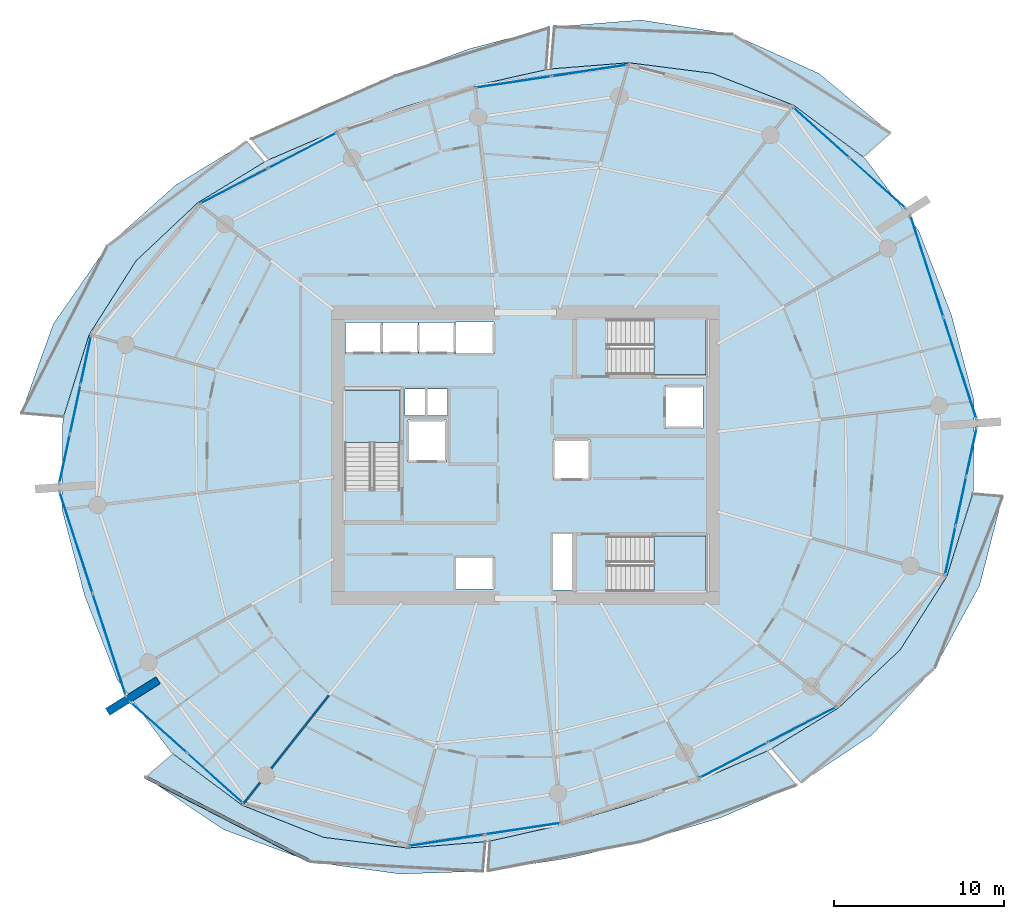
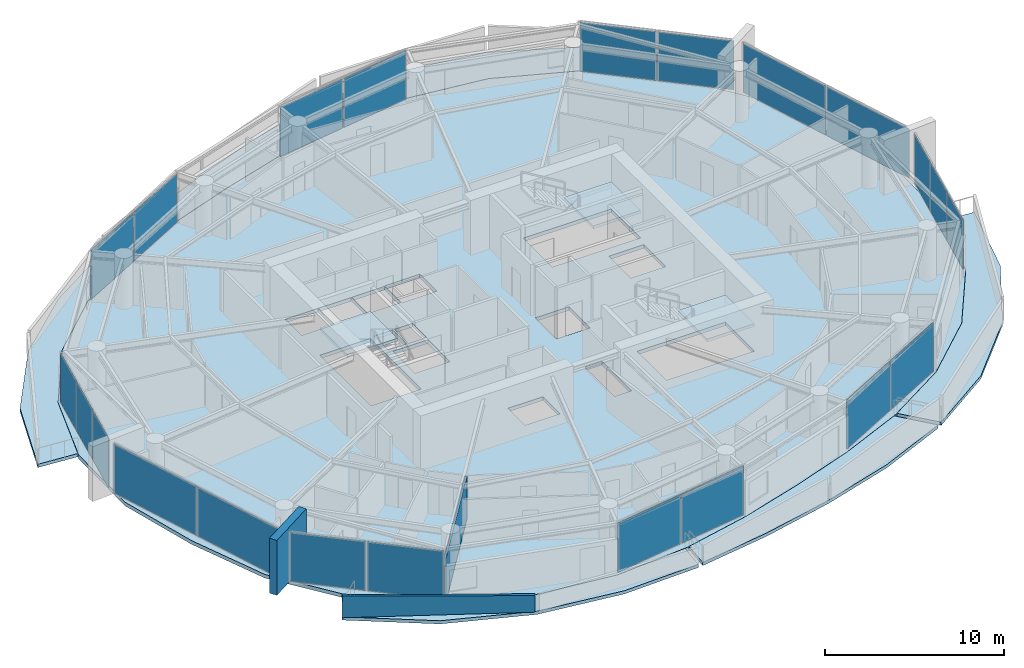
# One storey, part 10 of 20: 22 plates, 10 slabs, 3 walls, 13 elements without a shape of their own.
"""IFC4 building model written with IfcOpenShell, lengths in metres."""

import ifcopenshell
import ifcopenshell.guid

model = None  # the IFC model being written
_history = None  # IfcOwnerHistory: only IFC2X3 demands one
_inside = {}  # id of a spatial element -> (the spatial element, [elements in it])
_under = {}  # id of a project, library or spatial element -> (it, [spatial elements below it])
_declared = {}  # id of a project -> (the project, [libraries it declares])
_typed = {}  # id of a type object -> (the type object, [elements of that type])
_made_of = {}  # id of a material, layer set ... -> (it, [elements and type objects made of it])


def new_model(schema):
    """Start an empty IFC model of exactly this schema.

    Asked for "IFC4X3", IfcOpenShell would pick the latest addendum, in which some entities
    have other attributes; the version numbers below select the first issue.
    IFC2X3 requires an IfcOwnerHistory on every rooted entity: one is made here for all.
    """
    global model, _history
    if schema == "IFC4X3":
        model = ifcopenshell.file(schema_version=(4, 3, 0, 0))
    else:
        model = ifcopenshell.file(schema=schema)
    _inside.clear()
    _under.clear()
    _declared.clear()
    _typed.clear()
    _made_of.clear()
    _history = None
    if model.schema == "IFC2X3":
        org = make("IfcOrganization", Name="unknown")
        user = make(
            "IfcPersonAndOrganization",
            ThePerson=make("IfcPerson", FamilyName="unknown"),
            TheOrganization=org,
        )
        app = make(
            "IfcApplication",
            ApplicationDeveloper=org,
            Version="unknown",
            ApplicationFullName="unknown",
            ApplicationIdentifier="unknown",
        )
        _history = make(
            "IfcOwnerHistory",
            OwningUser=user,
            OwningApplication=app,
            ChangeAction="ADDED",
            CreationDate=0,
        )
    return model


def make(cls, **values):
    """One entity of the class cls with the attributes given. An attribute that is None is left unset."""
    return model.create_entity(
        cls, **{name: value for name, value in values.items() if value is not None}
    )


def rooted(cls, **values):
    """An entity with a GlobalId (a new one), such as an element, a storey or a relation."""
    return make(cls, GlobalId=ifcopenshell.guid.new(), OwnerHistory=_history, **values)


def si_unit(unit_type, name, prefix=None):
    """IfcSIUnit, for example si_unit("LENGTHUNIT", "METRE", prefix="MILLI")."""
    return make("IfcSIUnit", UnitType=unit_type, Prefix=prefix, Name=name)


def assignment(units):
    """IfcUnitAssignment: the units of a project."""
    return None if units is None else make("IfcUnitAssignment", Units=units)


def point(xyz):
    """IfcCartesianPoint."""
    return None if xyz is None else make("IfcCartesianPoint", Coordinates=xyz)


def direction(xyz):
    """IfcDirection."""
    return None if xyz is None else make("IfcDirection", DirectionRatios=xyz)


def frame(location, z_axis=None, x_axis=None):
    """IfcAxis2Placement3D, a coordinate frame: its origin and axes. An axis left out is left unset."""
    return make(
        "IfcAxis2Placement3D",
        Location=point(location),
        Axis=direction(z_axis),
        RefDirection=direction(x_axis),
    )


def frame_2d(location, x_axis=None):
    """IfcAxis2Placement2D, a coordinate frame in the plane: its origin and x axis."""
    return make(
        "IfcAxis2Placement2D", Location=point(location), RefDirection=direction(x_axis)
    )


def origin():
    """The frame at (0, 0, 0) with its axes left unset."""
    return frame((0.0, 0.0, 0.0))


def origin_2d():
    """The frame at (0, 0) in the plane with its x axis left unset."""
    return frame_2d((0.0, 0.0))


def place(relative_to, where):
    """IfcLocalPlacement: puts the frame where relative to a parent placement (None: the world)."""
    return make(
        "IfcLocalPlacement", PlacementRelTo=relative_to, RelativePlacement=where
    )


def context(
    kind, dimensions, precision=None, world=None, true_north=None, identifier=None
):
    """IfcGeometricRepresentationContext, for example the 3D "Model" context."""
    return make(
        "IfcGeometricRepresentationContext",
        ContextIdentifier=identifier,
        ContextType=kind,
        CoordinateSpaceDimension=dimensions,
        Precision=precision,
        WorldCoordinateSystem=world,
        TrueNorth=true_north,
    )


def subcontext(parent, identifier, kind, view, scale=None):
    """IfcGeometricRepresentationSubContext, for example "Body" below "Model"."""
    return make(
        "IfcGeometricRepresentationSubContext",
        ContextIdentifier=identifier,
        ContextType=kind,
        ParentContext=parent,
        TargetScale=scale,
        TargetView=view,
    )


def project(units=None, contexts=None):
    """IfcProject with its units and contexts."""
    return rooted(
        "IfcProject",
        Name="project",
        RepresentationContexts=contexts,
        UnitsInContext=assignment(units),
    )


def spatial(cls, under=None, at=None, **own):
    """A site, building, storey or space (cls), placed at a placement, below another one or the project."""
    s = rooted(cls, ObjectPlacement=at, **own)
    if under is not None:
        _under.setdefault(under.id(), (under, []))[1].append(s)
    return s


def polyline(points):
    """IfcPolyline through the points."""
    return make("IfcPolyline", Points=[point(p) for p in points])


def profile(cls, at=None, kind="AREA", **sizes):
    """A parametric profile (cls). Its sizes go by their IFC names, for example OverallWidth=200.0."""
    return make(cls, ProfileType=kind, Position=at, **sizes)


def rectangle(**sizes):
    """IfcRectangleProfileDef."""
    return profile("IfcRectangleProfileDef", **sizes)


def outline(outer, holes=None, kind="AREA"):
    """IfcArbitraryClosedProfileDef: a profile drawn as a closed curve; with holes, ...WithVoids."""
    if holes is None:
        return make("IfcArbitraryClosedProfileDef", ProfileType=kind, OuterCurve=outer)
    return make(
        "IfcArbitraryProfileDefWithVoids",
        ProfileType=kind,
        OuterCurve=outer,
        InnerCurves=holes,
    )


def extrude(swept, where, along, depth):
    """IfcExtrudedAreaSolid: the profile swept, set in the frame where, extruded along a direction by depth."""
    return make(
        "IfcExtrudedAreaSolid",
        SweptArea=swept,
        Position=where,
        ExtrudedDirection=direction(along),
        Depth=depth,
    )


def shape(context_of_items, identifier, shape_type, items):
    """IfcShapeRepresentation: the items that make up one representation, for example the "Body"."""
    return make(
        "IfcShapeRepresentation",
        ContextOfItems=context_of_items,
        RepresentationIdentifier=identifier,
        RepresentationType=shape_type,
        Items=items,
    )


def material(Name=None, Category=None):
    """IfcMaterial."""
    return make("IfcMaterial", Name=Name, Category=Category)


def layer(
    of_material, thickness, ventilated=None, Name=None, Category=None, Priority=None
):
    """IfcMaterialLayer: one layer of a wall or slab, of a material (None: an air gap)."""
    return make(
        "IfcMaterialLayer",
        Material=of_material,
        LayerThickness=thickness,
        IsVentilated=ventilated,
        Name=Name,
        Category=Category,
        Priority=Priority,
    )


def layer_set(layers, Name=None):
    """IfcMaterialLayerSet."""
    return make("IfcMaterialLayerSet", MaterialLayers=layers, LayerSetName=Name)


def made_of(thing, what):
    """Note that an element or type object is made of a material, layer set ...; save() writes the relation."""
    if what is not None:
        _made_of.setdefault(what.id(), (what, []))[1].append(thing)
    return thing


def type_object(cls, material=None, **own):
    """A type object (cls), such as IfcWallType, which elements share."""
    return made_of(rooted(cls, **own), material)


def element(
    cls,
    number,
    at=None,
    inside=None,
    cuts=None,
    type_object=None,
    material=None,
    context=None,
    identifier="Body",
    shape_type=None,
    held_by="IfcProductDefinitionShape",
    body=None,
    shapes=None,
    **own,
):
    """One element of the class cls, such as IfcWall. Its Tag is "e" and its number.

    at: its placement. inside: the storey or other place that contains it. cuts: it is an
    opening in that element (IfcRelVoidsElement). A single representation is given by context,
    identifier, shape_type and body (its items); several are given by shapes. held_by: the class
    of the entity that holds the representations. save() writes the other relations.
    """
    e = rooted(cls, Tag="e%d" % number, ObjectPlacement=at, **own)
    if body is not None:
        shapes = [shape(context, identifier, shape_type, body)]
    if shapes is not None:
        e.Representation = make(held_by, Representations=shapes)
    if inside is not None:
        _inside.setdefault(inside.id(), (inside, []))[1].append(e)
    if cuts is not None:
        rooted(
            "IfcRelVoidsElement", RelatingBuildingElement=cuts, RelatedOpeningElement=e
        )
    if type_object is not None:
        _typed.setdefault(type_object.id(), (type_object, []))[1].append(e)
    return made_of(e, material)


def aggregate(whole, parts):
    """IfcRelAggregates: a whole, such as a stair, and the parts it consists of."""
    return rooted("IfcRelAggregates", RelatingObject=whole, RelatedObjects=parts)


def save(model, path):
    """Write the relations noted so far, then the file.

    IfcRelAggregates (storeys below a building ...), IfcRelContainedInSpatialStructure (elements
    in a storey), IfcRelDefinesByType, IfcRelAssociatesMaterial and IfcRelDeclares: one each for
    every whole, place, type object, material and project.
    """
    for whole, parts in _under.values():
        aggregate(whole, parts)
    for where, things in _inside.values():
        rooted(
            "IfcRelContainedInSpatialStructure",
            RelatedElements=things,
            RelatingStructure=where,
        )
    for kind, things in _typed.values():
        rooted("IfcRelDefinesByType", RelatedObjects=things, RelatingType=kind)
    for what, things in _made_of.values():
        rooted("IfcRelAssociatesMaterial", RelatedObjects=things, RelatingMaterial=what)
    for by, libraries in _declared.values():
        rooted("IfcRelDeclares", RelatingContext=by, RelatedDefinitions=libraries)
    model.write(path)


model = new_model("IFC4")

# Units and contexts
model_context = context("Model", 3, precision=1e-05, world=origin(), true_north=direction((0.0, 1.0)))
body_context = subcontext(model_context, "Body", "Model", "MODEL_VIEW")
ifc_project = project(units=[si_unit("LENGTHUNIT", "METRE"), si_unit("AREAUNIT", "SQUARE_METRE"), si_unit("VOLUMEUNIT", "CUBIC_METRE"), si_unit("PLANEANGLEUNIT", "RADIAN"), si_unit("MASSUNIT", "GRAM", prefix="KILO")], contexts=[model_context])

# Site, building, storey
site_placement = place(None, origin())
site = spatial("IfcSite", under=ifc_project, at=site_placement, CompositionType="ELEMENT")
building_placement = place(site_placement, origin())
building = spatial("IfcBuilding", under=site, at=building_placement, Name="Kazma Halo Residences", CompositionType="ELEMENT")
storey_placement = place(building_placement, frame((0.0, 0.0, 161.550048828125)))
storey = spatial("IfcBuildingStorey", under=building, at=storey_placement, Name="L40", CompositionType="ELEMENT", Elevation=161.550048828125)

# Curtain wall, plates
ifc_material_1 = material(Name="Aluminium AW-6063 T6 and Triple-Silver Low-E Glass", Category="aluminium")
ifc_layer_1 = layer(ifc_material_1, 0.219970703125)
ifc_layer_set_1 = layer_set([ifc_layer_1], Name="Aluminium AW-6063 T6 and Triple-Silver Low-E Glass")
curtain_wall_type = type_object("IfcCurtainWallType", Name="CW-SYS-4", PredefinedType="NOTDEFINED", material=ifc_layer_set_1)
curtain_wall_1_placement = place(storey_placement, origin())
curtain_wall_1 = element("IfcCurtainWall", 1, at=curtain_wall_1_placement, inside=storey, type_object=curtain_wall_type, Name="L40 unitised curtain wall B01", PredefinedType="NOTDEFINED")
ifc_material_2 = material(Name="Clear Triple-Silver Low-E Glass IGU", Category="glass")
ifc_layer_2 = layer(ifc_material_2, 0.033935546875)
ifc_layer_set_2 = layer_set([ifc_layer_2], Name="Clear Triple-Silver Low-E Glass IGU")
plate_type = type_object("IfcPlateType", Name="CW-SYS-4-PNL", PredefinedType="CURTAIN_PANEL", material=ifc_layer_set_2)
plate_1_placement = place(storey_placement, frame((69.126708984375, 58.008056640625, 0.074951171875), z_axis=(0.0, 0.0, 1.0), x_axis=(-0.744367582957, 0.667770096247, 0.0)))
plate_1 = element("IfcPlate", 2, at=plate_1_placement, type_object=plate_type, Name="CWS-4 panel 1.1", PredefinedType="CURTAIN_PANEL", context=body_context, shape_type="SweptSolid", body=[
    extrude(rectangle(XDim=4.36279296875, YDim=0.033935546875, at=origin_2d()), origin(), (0.0, 0.0, 1.0), 3.35009765625),
])
plate_2_placement = place(storey_placement, frame((65.823486328125, 60.971435546875, 0.074951171875), z_axis=(0.0, 0.0, 1.0), x_axis=(-0.744367582957, 0.667770096247, 0.0)))
plate_2 = element("IfcPlate", 3, at=plate_2_placement, type_object=plate_type, Name="CWS-4 panel 2.1", PredefinedType="CURTAIN_PANEL", context=body_context, shape_type="SweptSolid", body=[
    extrude(rectangle(XDim=4.36279296875, YDim=0.033935546875, at=origin_2d()), origin(), (0.0, 0.0, 1.0), 3.35009765625),
])
aggregate(curtain_wall_1, [plate_1, plate_2])

curtain_wall_2_placement = place(storey_placement, origin())
curtain_wall_2 = element("IfcCurtainWall", 4, at=curtain_wall_2_placement, inside=storey, type_object=curtain_wall_type, Name="L40 unitised curtain wall B03", PredefinedType="NOTDEFINED")
plate_3_placement = place(storey_placement, frame((52.200439453125, 64.625732421875, 0.074951171875), z_axis=(0.0, 0.0, 1.0), x_axis=(-0.988864148004, -0.148821022686, 0.0)))
plate_3 = element("IfcPlate", 5, at=plate_3_placement, type_object=plate_type, Name="CWS-4 panel 1.1", PredefinedType="CURTAIN_PANEL", context=body_context, shape_type="SweptSolid", body=[
    extrude(rectangle(XDim=4.4560546875, YDim=0.033935546875, at=origin_2d()), origin(), (0.0, 0.0, 1.0), 3.35009765625),
])
plate_4_placement = place(storey_placement, frame((47.7197265625, 63.951416015625, 0.074951171875), z_axis=(0.0, 0.0, 1.0), x_axis=(-0.988864148004, -0.148821022686, 0.0)))
plate_4 = element("IfcPlate", 6, at=plate_4_placement, type_object=plate_type, Name="CWS-4 panel 2.1", PredefinedType="CURTAIN_PANEL", context=body_context, shape_type="SweptSolid", body=[
    extrude(rectangle(XDim=4.4560546875, YDim=0.033935546875, at=origin_2d()), origin(), (0.0, 0.0, 1.0), 3.35009765625),
])
aggregate(curtain_wall_2, [plate_3, plate_4])

curtain_wall_3_placement = place(storey_placement, origin())
curtain_wall_3 = element("IfcCurtainWall", 7, at=curtain_wall_3_placement, inside=storey, type_object=curtain_wall_type, Name="L40 unitised curtain wall B05", PredefinedType="NOTDEFINED")
plate_5_placement = place(storey_placement, frame((35.323974609375, 59.923828125, 0.074951171875), z_axis=(0.0, 0.0, 1.0), x_axis=(-0.887484542306, -0.460837484552, 0.0)))
plate_5 = element("IfcPlate", 8, at=plate_5_placement, type_object=plate_type, Name="CWS-4 panel 1.1", PredefinedType="CURTAIN_PANEL", context=body_context, shape_type="SweptSolid", body=[
    extrude(rectangle(XDim=4.4560546875, YDim=0.033935546875, at=origin_2d()), origin(), (0.0, 0.0, 1.0), 3.35009765625),
])
plate_6_placement = place(storey_placement, frame((31.302734375, 57.835693359375, 0.074951171875), z_axis=(0.0, 0.0, 1.0), x_axis=(-0.887484542306, -0.460837484552, 0.0)))
plate_6 = element("IfcPlate", 9, at=plate_6_placement, type_object=plate_type, Name="CWS-4 panel 2.1", PredefinedType="CURTAIN_PANEL", context=body_context, shape_type="SweptSolid", body=[
    extrude(rectangle(XDim=4.4560546875, YDim=0.033935546875, at=origin_2d()), origin(), (0.0, 0.0, 1.0), 3.35009765625),
])
aggregate(curtain_wall_3, [plate_5, plate_6])

curtain_wall_4_placement = place(storey_placement, origin())
curtain_wall_4 = element("IfcCurtainWall", 10, at=curtain_wall_4_placement, inside=storey, type_object=curtain_wall_type, Name="L40 unitised curtain wall B07", PredefinedType="NOTDEFINED")
plate_7_placement = place(storey_placement, frame((22.5859375, 47.601318359375, 0.074951171875), z_axis=(0.0, 0.0, 1.0), x_axis=(-0.209703809037, -0.977764957684, 0.0)))
plate_7 = element("IfcPlate", 11, at=plate_7_placement, type_object=plate_type, Name="CWS-4 panel 1.1", PredefinedType="CURTAIN_PANEL", context=body_context, shape_type="SweptSolid", body=[
    extrude(rectangle(XDim=2.87109375, YDim=0.033935546875, at=origin_2d()), origin(), (0.0, 0.0, 1.0), 3.35009765625),
])
plate_8_placement = place(storey_placement, frame((21.964111328125, 44.702392578125, 0.074951171875), z_axis=(0.0, 0.0, 1.0), x_axis=(-0.209703809037, -0.977764957684, 0.0)))
plate_8 = element("IfcPlate", 12, at=plate_8_placement, type_object=plate_type, Name="CWS-4 panel 2.1", PredefinedType="CURTAIN_PANEL", context=body_context, shape_type="SweptSolid", body=[
    extrude(rectangle(XDim=2.90869140625, YDim=0.033935546875, at=origin_2d()), origin(), (0.0, 0.0, 1.0), 3.35009765625),
])
plate_9_placement = place(storey_placement, frame((21.34228515625, 41.803466796875, 0.074951171875), z_axis=(0.0, 0.0, 1.0), x_axis=(-0.209703809037, -0.977764957684, 0.0)))
plate_9 = element("IfcPlate", 13, at=plate_9_placement, type_object=plate_type, Name="CWS-4 panel 3.1", PredefinedType="CURTAIN_PANEL", context=body_context, shape_type="SweptSolid", body=[
    extrude(rectangle(XDim=2.87109375, YDim=0.033935546875, at=origin_2d()), origin(), (0.0, 0.0, 1.0), 3.35009765625),
])
aggregate(curtain_wall_4, [plate_7, plate_8, plate_9])

curtain_wall_5_placement = place(storey_placement, origin())
curtain_wall_5 = element("IfcCurtainWall", 14, at=curtain_wall_5_placement, inside=storey, type_object=curtain_wall_type, Name="L40 unitised curtain wall B08", PredefinedType="NOTDEFINED")
plate_10_placement = place(storey_placement, frame((22.017578125, 36.869873046875, 0.074951171875), z_axis=(0.0, 0.0, 1.0), x_axis=(0.3090138203, -0.951057547609, 0.0)))
plate_10 = element("IfcPlate", 15, at=plate_10_placement, type_object=plate_type, Name="CWS-4 panel 1.1", PredefinedType="CURTAIN_PANEL", context=body_context, shape_type="SweptSolid", body=[
    extrude(rectangle(XDim=6.224853515625, YDim=0.033935546875, at=origin_2d()), origin(), (0.0, 0.0, 1.0), 3.35009765625),
])
plate_11_placement = place(storey_placement, frame((23.96435546875, 30.878173828125, 0.074951171875), z_axis=(0.0, 0.0, 1.0), x_axis=(0.3090138203, -0.951057547609, 0.0)))
plate_11 = element("IfcPlate", 16, at=plate_11_placement, type_object=plate_type, Name="CWS-4 panel 2.1", PredefinedType="CURTAIN_PANEL", context=body_context, shape_type="SweptSolid", body=[
    extrude(rectangle(XDim=6.224853515625, YDim=0.033935546875, at=origin_2d()), origin(), (0.0, 0.0, 1.0), 3.35009765625),
])
aggregate(curtain_wall_5, [plate_10, plate_11])

curtain_wall_6_placement = place(storey_placement, origin())
curtain_wall_6 = element("IfcCurtainWall", 17, at=curtain_wall_6_placement, inside=storey, type_object=curtain_wall_type, Name="L40 unitised curtain wall B09", PredefinedType="NOTDEFINED")
plate_12_placement = place(storey_placement, frame((26.873291015625, 25.991943359375, 0.074951171875), z_axis=(0.0, 0.0, 1.0), x_axis=(0.744367582957, -0.667770096247, 0.0)))
plate_12 = element("IfcPlate", 18, at=plate_12_placement, type_object=plate_type, Name="CWS-4 panel 1.1", PredefinedType="CURTAIN_PANEL", context=body_context, shape_type="SweptSolid", body=[
    extrude(rectangle(XDim=4.36279296875, YDim=0.033935546875, at=origin_2d()), origin(), (0.0, 0.0, 1.0), 3.35009765625),
])
plate_13_placement = place(storey_placement, frame((30.176513671875, 23.028564453125, 0.074951171875), z_axis=(0.0, 0.0, 1.0), x_axis=(0.744367582957, -0.667770096247, 0.0)))
plate_13 = element("IfcPlate", 19, at=plate_13_placement, type_object=plate_type, Name="CWS-4 panel 2.1", PredefinedType="CURTAIN_PANEL", context=body_context, shape_type="SweptSolid", body=[
    extrude(rectangle(XDim=4.36279296875, YDim=0.033935546875, at=origin_2d()), origin(), (0.0, 0.0, 1.0), 3.35009765625),
])
aggregate(curtain_wall_6, [plate_12, plate_13])

curtain_wall_7_placement = place(storey_placement, origin())
curtain_wall_7 = element("IfcCurtainWall", 20, at=curtain_wall_7_placement, inside=storey, type_object=curtain_wall_type, Name="L40 unitised curtain wall B11", PredefinedType="NOTDEFINED")
plate_14_placement = place(storey_placement, frame((43.799560546875, 19.374267578125, 0.074951171875), z_axis=(0.0, 0.0, 1.0), x_axis=(0.988864148004, 0.148821022686, 0.0)))
plate_14 = element("IfcPlate", 21, at=plate_14_placement, type_object=plate_type, Name="CWS-4 panel 1.1", PredefinedType="CURTAIN_PANEL", context=body_context, shape_type="SweptSolid", body=[
    extrude(rectangle(XDim=4.4560546875, YDim=0.033935546875, at=origin_2d()), origin(), (0.0, 0.0, 1.0), 3.35009765625),
])
plate_15_placement = place(storey_placement, frame((48.2802734375, 20.048583984375, 0.074951171875), z_axis=(0.0, 0.0, 1.0), x_axis=(0.988864148004, 0.148821022686, 0.0)))
plate_15 = element("IfcPlate", 22, at=plate_15_placement, type_object=plate_type, Name="CWS-4 panel 2.1", PredefinedType="CURTAIN_PANEL", context=body_context, shape_type="SweptSolid", body=[
    extrude(rectangle(XDim=4.4560546875, YDim=0.033935546875, at=origin_2d()), origin(), (0.0, 0.0, 1.0), 3.35009765625),
])
aggregate(curtain_wall_7, [plate_14, plate_15])

curtain_wall_8_placement = place(storey_placement, origin())
curtain_wall_8 = element("IfcCurtainWall", 23, at=curtain_wall_8_placement, inside=storey, type_object=curtain_wall_type, Name="L40 unitised curtain wall B13", PredefinedType="NOTDEFINED")
plate_16_placement = place(storey_placement, frame((60.676025390625, 24.076171875, 0.074951171875), z_axis=(0.0, 0.0, 1.0), x_axis=(0.887484542306, 0.460837484552, 0.0)))
plate_16 = element("IfcPlate", 24, at=plate_16_placement, type_object=plate_type, Name="CWS-4 panel 1.1", PredefinedType="CURTAIN_PANEL", context=body_context, shape_type="SweptSolid", body=[
    extrude(rectangle(XDim=4.4560546875, YDim=0.033935546875, at=origin_2d()), origin(), (0.0, 0.0, 1.0), 3.35009765625),
])
plate_17_placement = place(storey_placement, frame((64.697265625, 26.164306640625, 0.074951171875), z_axis=(0.0, 0.0, 1.0), x_axis=(0.887484542306, 0.460837484552, 0.0)))
plate_17 = element("IfcPlate", 25, at=plate_17_placement, type_object=plate_type, Name="CWS-4 panel 2.1", PredefinedType="CURTAIN_PANEL", context=body_context, shape_type="SweptSolid", body=[
    extrude(rectangle(XDim=4.4560546875, YDim=0.033935546875, at=origin_2d()), origin(), (0.0, 0.0, 1.0), 3.35009765625),
])
aggregate(curtain_wall_8, [plate_16, plate_17])

curtain_wall_9_placement = place(storey_placement, origin())
curtain_wall_9 = element("IfcCurtainWall", 26, at=curtain_wall_9_placement, inside=storey, type_object=curtain_wall_type, Name="L40 unitised curtain wall B15", PredefinedType="NOTDEFINED")
plate_18_placement = place(storey_placement, frame((73.4140625, 36.398681640625, 0.074951171875), z_axis=(0.0, 0.0, 1.0), x_axis=(0.209703809037, 0.977764957684, 0.0)))
plate_18 = element("IfcPlate", 27, at=plate_18_placement, type_object=plate_type, Name="CWS-4 panel 1.1", PredefinedType="CURTAIN_PANEL", context=body_context, shape_type="SweptSolid", body=[
    extrude(rectangle(XDim=2.87109375, YDim=0.033935546875, at=origin_2d()), origin(), (0.0, 0.0, 1.0), 3.35009765625),
])
plate_19_placement = place(storey_placement, frame((74.035888671875, 39.297607421875, 0.074951171875), z_axis=(0.0, 0.0, 1.0), x_axis=(0.209703809037, 0.977764957684, 0.0)))
plate_19 = element("IfcPlate", 28, at=plate_19_placement, type_object=plate_type, Name="CWS-4 panel 2.1", PredefinedType="CURTAIN_PANEL", context=body_context, shape_type="SweptSolid", body=[
    extrude(rectangle(XDim=2.90869140625, YDim=0.033935546875, at=origin_2d()), origin(), (0.0, 0.0, 1.0), 3.35009765625),
])
plate_20_placement = place(storey_placement, frame((74.65771484375, 42.196533203125, 0.074951171875), z_axis=(0.0, 0.0, 1.0), x_axis=(0.209703809037, 0.977764957684, 0.0)))
plate_20 = element("IfcPlate", 29, at=plate_20_placement, type_object=plate_type, Name="CWS-4 panel 3.1", PredefinedType="CURTAIN_PANEL", context=body_context, shape_type="SweptSolid", body=[
    extrude(rectangle(XDim=2.87109375, YDim=0.033935546875, at=origin_2d()), origin(), (0.0, 0.0, 1.0), 3.35009765625),
])
aggregate(curtain_wall_9, [plate_18, plate_19, plate_20])

curtain_wall_10_placement = place(storey_placement, origin())
curtain_wall_10 = element("IfcCurtainWall", 30, at=curtain_wall_10_placement, inside=storey, type_object=curtain_wall_type, Name="L40 unitised curtain wall B16", PredefinedType="NOTDEFINED")
plate_21_placement = place(storey_placement, frame((73.982421875, 47.130126953125, 0.074951171875), z_axis=(0.0, 0.0, 1.0), x_axis=(-0.3090138203, 0.951057547609, 0.0)))
plate_21 = element("IfcPlate", 31, at=plate_21_placement, type_object=plate_type, Name="CWS-4 panel 1.1", PredefinedType="CURTAIN_PANEL", context=body_context, shape_type="SweptSolid", body=[
    extrude(rectangle(XDim=6.224853515625, YDim=0.033935546875, at=origin_2d()), origin(), (0.0, 0.0, 1.0), 3.35009765625),
])
plate_22_placement = place(storey_placement, frame((72.03564453125, 53.121826171875, 0.074951171875), z_axis=(0.0, 0.0, 1.0), x_axis=(-0.3090138203, 0.951057547609, 0.0)))
plate_22 = element("IfcPlate", 32, at=plate_22_placement, type_object=plate_type, Name="CWS-4 panel 2.1", PredefinedType="CURTAIN_PANEL", context=body_context, shape_type="SweptSolid", body=[
    extrude(rectangle(XDim=6.224853515625, YDim=0.033935546875, at=origin_2d()), origin(), (0.0, 0.0, 1.0), 3.35009765625),
])
aggregate(curtain_wall_10, [plate_21, plate_22])

# Slabs
ifc_material_3 = material(Name="White Concrete C50/60", Category="concrete")
ifc_layer_3 = layer(ifc_material_3, 0.219970703125)
ifc_layer_set_3 = layer_set([ifc_layer_3], Name="White Concrete C50/60")
slab_type_1 = type_object("IfcSlabType", Name="SLB-BAL-WAVE-210", PredefinedType="FLOOR", material=ifc_layer_set_3)
slab_1_placement = place(storey_placement, frame((0.0, 0.0, -0.219970703125)))
element("IfcSlab", 33, at=slab_1_placement, inside=storey, type_object=slab_type_1, Name="L40 NE cantilevered wave balcony slab", PredefinedType="FLOOR", context=body_context, shape_type="SweptSolid", body=[
    extrude(outline(polyline([(68.294677734375, 59.548583984375), (64.21923828125, 62.573974609375), (59.442626953125, 64.45751953125), (54.510986328125, 65.0859375), (49.927978515625, 64.720458984375), (50.1376953125, 67.19482421875), (55.21875, 67.595947265625), (60.61328125, 66.7548828125), (65.697021484375, 64.448486328125), (69.904052734375, 60.9404296875), (68.294677734375, 59.548583984375)])), origin(), (0.0, 0.0, 1.0), 0.219970703125),
])
slab_2_placement = place(storey_placement, frame((0.0, 0.0, -0.219970703125)))
element("IfcSlab", 34, at=slab_2_placement, inside=storey, type_object=slab_type_1, Name="L40 NNW cantilevered wave balcony slab", PredefinedType="FLOOR", context=body_context, shape_type="SweptSolid", body=[
    extrude(outline(polyline([(49.6455078125, 64.67822265625), (45.427978515625, 63.72998046875), (41.3408203125, 62.494873046875), (37.30810546875, 61.091552734375), (33.3388671875, 59.3798828125), (32.317138671875, 60.591064453125), (36.494384765625, 62.544921875), (40.75390625, 64.30078125), (45.169677734375, 65.9140625), (49.823974609375, 67.13720703125), (49.6455078125, 64.67822265625)])), origin(), (0.0, 0.0, 1.0), 0.219970703125),
])
slab_3_placement = place(storey_placement, frame((0.0, 0.0, -0.219970703125)))
element("IfcSlab", 35, at=slab_3_placement, inside=storey, type_object=slab_type_1, Name="L40 NW cantilevered wave balcony slab", PredefinedType="FLOOR", context=body_context, shape_type="SweptSolid", body=[
    extrude(outline(polyline([(33.08544921875, 59.248046875), (29.1630859375, 56.849853515625), (25.54248046875, 53.442626953125), (22.78515625, 49.111328125), (21.2666015625, 44.268310546875), (18.79638671875, 44.47802734375), (20.668212890625, 49.708251953125), (23.8505859375, 54.3046875), (27.85498046875, 57.881103515625), (32.04638671875, 60.449951171875), (33.08544921875, 59.248046875)])), origin(), (0.0, 0.0, 1.0), 0.219970703125),
])
slab_4_placement = place(storey_placement, frame((0.0, 0.0, -0.219970703125)))
element("IfcSlab", 36, at=slab_4_placement, inside=storey, type_object=slab_type_1, Name="L40 SW cantilevered wave balcony slab", PredefinedType="FLOOR", context=body_context, shape_type="SweptSolid", body=[
    extrude(outline(polyline([(27.705322265625, 24.451416015625), (31.78076171875, 21.426025390625), (36.557373046875, 19.54248046875), (41.489013671875, 18.9140625), (46.072021484375, 19.279541015625), (45.925537109375, 17.55126953125), (41.05810546875, 17.3857421875), (35.822998046875, 18.101318359375), (30.66064453125, 20.005126953125), (26.1103515625, 23.072021484375), (27.705322265625, 24.451416015625)])), origin(), (0.0, 0.0, 1.0), 0.219970703125),
])
slab_5_placement = place(storey_placement, frame((0.0, 0.0, -0.219970703125)))
element("IfcSlab", 37, at=slab_5_placement, inside=storey, type_object=slab_type_1, Name="L40 SSE cantilevered wave balcony slab", PredefinedType="FLOOR", context=body_context, shape_type="SweptSolid", body=[
    extrude(outline(polyline([(46.3544921875, 19.32177734375), (50.572021484375, 20.27001953125), (54.6591796875, 21.505126953125), (58.69189453125, 22.908447265625), (62.6611328125, 24.6201171875), (64.353271484375, 22.6142578125), (59.92822265625, 20.70068359375), (55.368896484375, 19.320556640625), (50.806640625, 18.287353515625), (46.228271484375, 17.582763671875), (46.3544921875, 19.32177734375)])), origin(), (0.0, 0.0, 1.0), 0.219970703125),
])
slab_6_placement = place(storey_placement, frame((0.0, 0.0, -0.219970703125)))
element("IfcSlab", 38, at=slab_6_placement, inside=storey, type_object=slab_type_1, Name="L40 SE cantilevered wave balcony slab", PredefinedType="FLOOR", context=body_context, shape_type="SweptSolid", body=[
    extrude(outline(polyline([(62.91455078125, 24.751953125), (66.8369140625, 27.150146484375), (70.45751953125, 30.557373046875), (73.21484375, 34.888671875), (74.7333984375, 39.731689453125), (76.484619140625, 39.5830078125), (75.136474609375, 34.3466796875), (72.50390625, 29.5146484375), (68.82421875, 25.58349609375), (64.6337890625, 22.763427734375), (62.91455078125, 24.751953125)])), origin(), (0.0, 0.0, 1.0), 0.219970703125),
])
ifc_material_4 = material(Name="Concrete C50/60", Category="concrete")
ifc_layer_4 = layer(ifc_material_4, 0.25)
ifc_layer_set_4 = layer_set([ifc_layer_4], Name="Concrete C50/60")
slab_type_2 = type_object("IfcSlabType", Name="SLB-RES-250", PredefinedType="FLOOR", material=ifc_layer_set_4)
slab_7_placement = place(storey_placement, frame((0.0, 0.0, -0.25)))
element("IfcSlab", 39, at=slab_7_placement, inside=storey, type_object=slab_type_2, Name="L40 structural floor slab", PredefinedType="FLOOR", context=body_context, shape_type="SweptSolid", body=[
    extrude(outline(polyline([(73.47265625, 50.276611328125), (71.56201171875, 55.1953125), (68.41796875, 59.438720703125), (64.218017578125, 62.572509765625), (59.441650390625, 64.45556640625), (54.510498046875, 65.083984375), (49.787109375, 64.706298828125), (45.42822265625, 63.727783203125), (41.341552734375, 62.492919921875), (37.30908203125, 61.08984375), (33.2080078125, 59.3193359375), (29.16455078125, 56.8486328125), (25.54443359375, 53.441650390625), (22.787109375, 49.110595703125), (21.2314453125, 44.106689453125), (21.181884765625, 38.825927734375), (22.52734375, 33.723388671875), (24.43798828125, 28.8046875), (27.58203125, 24.561279296875), (31.781982421875, 21.427490234375), (36.558349609375, 19.54443359375), (41.489501953125, 18.916015625), (46.212890625, 19.293701171875), (50.57177734375, 20.272216796875), (54.658447265625, 21.507080078125), (58.69091796875, 22.91015625), (62.7919921875, 24.6806640625), (66.83544921875, 27.1513671875), (70.45556640625, 30.558349609375), (73.212890625, 34.889404296875), (74.7685546875, 39.893310546875), (74.818115234375, 45.174072265625), (73.47265625, 50.276611328125)]), holes=[polyline([(37.800048828125, 40.110107421875), (41.050048828125, 40.110107421875), (41.050048828125, 45.800048828125), (37.800048828125, 45.800048828125), (37.800048828125, 40.110107421875)]), polyline([(53.360107421875, 46.75), (59.050048828125, 46.75), (59.050048828125, 50.0), (53.360107421875, 50.0), (53.360107421875, 46.75)]), polyline([(53.360107421875, 34.0), (59.050048828125, 34.0), (59.050048828125, 37.25), (53.360107421875, 37.25), (53.360107421875, 34.0)]), polyline([(41.52001953125, 41.6201171875), (43.780029296875, 41.6201171875), (43.780029296875, 44.080078125), (41.52001953125, 44.080078125), (41.52001953125, 41.6201171875)]), polyline([(56.6201171875, 43.6201171875), (58.8798828125, 43.6201171875), (58.8798828125, 46.080078125), (56.6201171875, 46.080078125), (56.6201171875, 43.6201171875)]), polyline([(37.864990234375, 47.9951171875), (39.97509765625, 47.9951171875), (39.97509765625, 49.804931640625), (37.864990234375, 49.804931640625), (37.864990234375, 47.9951171875)]), polyline([(40.014892578125, 47.9951171875), (42.125, 47.9951171875), (42.125, 49.804931640625), (40.014892578125, 49.804931640625), (40.014892578125, 47.9951171875)]), polyline([(42.1650390625, 47.9951171875), (44.27490234375, 47.9951171875), (44.27490234375, 49.804931640625), (42.1650390625, 49.804931640625), (42.1650390625, 47.9951171875)]), polyline([(44.320068359375, 47.945068359375), (46.580078125, 47.945068359375), (46.580078125, 49.85498046875), (44.320068359375, 49.85498046875), (44.320068359375, 47.945068359375)]), polyline([(44.320068359375, 34.14501953125), (46.580078125, 34.14501953125), (46.580078125, 36.054931640625), (44.320068359375, 36.054931640625), (44.320068359375, 34.14501953125)]), polyline([(50.070068359375, 40.570068359375), (52.22998046875, 40.570068359375), (52.22998046875, 42.929931640625), (50.070068359375, 42.929931640625), (50.070068359375, 40.570068359375)]), polyline([(41.360107421875, 44.340087890625), (42.5400390625, 44.340087890625), (42.5400390625, 45.89990234375), (41.360107421875, 45.89990234375), (41.360107421875, 44.340087890625)]), polyline([(42.659912109375, 44.340087890625), (43.840087890625, 44.340087890625), (43.840087890625, 45.89990234375), (42.659912109375, 45.89990234375), (42.659912109375, 44.340087890625)]), polyline([(50.06005859375, 34.080078125), (51.159912109375, 34.080078125), (51.159912109375, 37.3798828125), (50.06005859375, 37.3798828125), (50.06005859375, 34.080078125)])]), origin(), (0.0, 0.0, 1.0), 0.25),
])

# Stair, slab
stair_type = type_object("IfcStairType", Name="STR-RES1", PredefinedType="HALF_TURN_STAIR", material=ifc_material_4)
stair_1_placement = place(storey_placement, origin())
stair_1 = element("IfcStair", 40, at=stair_1_placement, inside=storey, type_object=stair_type, Name="L40 Core exit stair ST-01", PredefinedType="HALF_TURN_STAIR")
ifc_layer_5 = layer(ifc_material_4, 0.199951171875)
ifc_layer_set_5 = layer_set([ifc_layer_5], Name="Concrete C50/60")
slab_type_3 = type_object("IfcSlabType", Name="SLB-STAIR-LND-200", PredefinedType="LANDING", material=ifc_layer_set_5)
slab_8_placement = place(storey_placement, frame((0.0, 0.0, 1.675048828125)))
slab_8 = element("IfcSlab", 41, at=slab_8_placement, type_object=slab_type_3, Name="ST-01 landing 1", PredefinedType="LANDING", context=body_context, shape_type="SweptSolid", body=[
    extrude(outline(polyline([(41.050048828125, 42.75), (41.050048828125, 45.800048828125), (37.800048828125, 45.800048828125), (37.800048828125, 42.75), (41.050048828125, 42.75)])), origin(), (0.0, 0.0, 1.0), 0.199951171875),
])
aggregate(stair_1, [slab_8])

stair_2_placement = place(storey_placement, origin())
stair_2 = element("IfcStair", 42, at=stair_2_placement, inside=storey, type_object=stair_type, Name="L40 Core exit stair ST-02", PredefinedType="HALF_TURN_STAIR")
slab_9_placement = place(storey_placement, frame((0.0, 0.0, 1.675048828125)))
slab_9 = element("IfcSlab", 43, at=slab_9_placement, type_object=slab_type_3, Name="ST-02 landing 1", PredefinedType="LANDING", context=body_context, shape_type="SweptSolid", body=[
    extrude(outline(polyline([(56.0, 46.75), (59.050048828125, 46.75), (59.050048828125, 50.0), (56.0, 50.0), (56.0, 46.75)])), origin(), (0.0, 0.0, 1.0), 0.199951171875),
])
aggregate(stair_2, [slab_9])

stair_3_placement = place(storey_placement, origin())
stair_3 = element("IfcStair", 44, at=stair_3_placement, inside=storey, type_object=stair_type, Name="L40 Core exit stair ST-03", PredefinedType="HALF_TURN_STAIR")
slab_10_placement = place(storey_placement, frame((0.0, 0.0, 1.675048828125)))
slab_10 = element("IfcSlab", 45, at=slab_10_placement, type_object=slab_type_3, Name="ST-03 landing 1", PredefinedType="LANDING", context=body_context, shape_type="SweptSolid", body=[
    extrude(outline(polyline([(56.0, 34.0), (59.050048828125, 34.0), (59.050048828125, 37.25), (56.0, 37.25), (56.0, 34.0)])), origin(), (0.0, 0.0, 1.0), 0.199951171875),
])
aggregate(stair_3, [slab_10])

# Walls
ifc_material_5 = material(Name="White Concrete C50/60 Balustrade", Category="concrete")
ifc_layer_6 = layer(ifc_material_5, 0.179931640625)
ifc_layer_set_6 = layer_set([ifc_layer_6], Name="White Concrete C50/60 Balustrade")
wall_type_1 = type_object("IfcWallType", Name="WL-BAL-WAVE-180", PredefinedType="PARAPET", material=ifc_layer_set_6)
wall_1_placement = place(storey_placement, frame((26.1103515625, 23.072021484375, 0.0), z_axis=(0.0, 0.0, 1.0), x_axis=(0.890197806796, -0.455574214345, 0.0)))
element("IfcWall", 46, at=wall_1_placement, inside=storey, type_object=wall_type_1, Name="L40 white wave balustrade wall SW.1", PredefinedType="PARAPET", context=body_context, shape_type="SweptSolid", body=[
    extrude(outline(polyline([(0.0, 0.0), (10.790771484375, 0.0), (10.790771484375, 1.14794921875), (5.395263671875, 1.283935546875), (0.0, 1.48291015625), (0.0, 0.0)])), frame((0.0, 0.08984375, 0.0), z_axis=(0.0, -1.0, 0.0), x_axis=(1.0, 0.0, 0.0)), (0.0, 0.0, 1.0), 0.179931640625),
])
ifc_material_6 = material(Name="Pale Concrete C60/75", Category="concrete")
ifc_layer_7 = layer(ifc_material_6, 0.47998046875)
ifc_layer_set_7 = layer_set([ifc_layer_7], Name="Pale Concrete C60/75")
wall_type_2 = type_object("IfcWallType", Name="WL-BLADE-480", PredefinedType="SOLIDWALL", material=ifc_layer_set_7)
wall_2_placement = place(storey_placement, frame((26.834716796875, 28.7744140625, 0.0), z_axis=(0.0, 0.0, 1.0), x_axis=(-0.848053161125, -0.529911158502, 0.0)))
element("IfcWall", 47, at=wall_2_placement, inside=storey, type_object=wall_type_2, Name="L40 pale concrete structural blade fin wall BW-03", PredefinedType="SOLIDWALL", context=body_context, shape_type="SweptSolid", body=[
    extrude(rectangle(XDim=3.5, YDim=0.47998046875, at=frame_2d((1.75, 0.0))), origin(), (0.0, 0.0, 1.0), 3.75),
])
ifc_material_7 = material(Name="Gypsum Plasterboard Partition")
ifc_layer_8 = layer(ifc_material_7, 0.125)
ifc_layer_set_8 = layer_set([ifc_layer_8], Name="Gypsum Plasterboard Partition")
wall_type_3 = type_object("IfcWallType", Name="WL-PART-125", PredefinedType="PARTITIONING", material=ifc_layer_set_8)
wall_3_placement = place(storey_placement, frame((36.875, 27.887939453125, 0.0), z_axis=(0.0, 0.0, 1.0), x_axis=(-0.61910151414, -0.78531096719, 0.0)))
element("IfcWall", 48, at=wall_3_placement, inside=storey, type_object=wall_type_3, Name="L40 Apartment 2 radial partition 9", PredefinedType="PARTITIONING", context=body_context, shape_type="SweptSolid", body=[
    extrude(rectangle(XDim=8.081787109375, YDim=0.125, at=frame_2d((4.041015625, 0.0))), origin(), (0.0, 0.0, 1.0), 2.93994140625),
])

save(model, "model.ifc")
